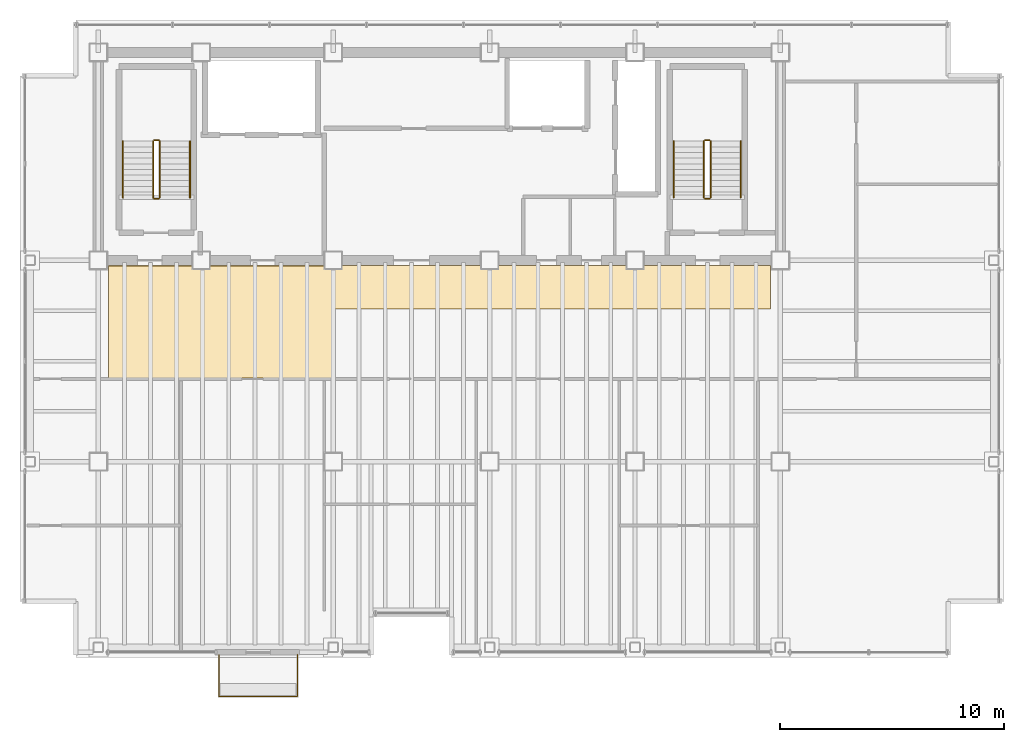
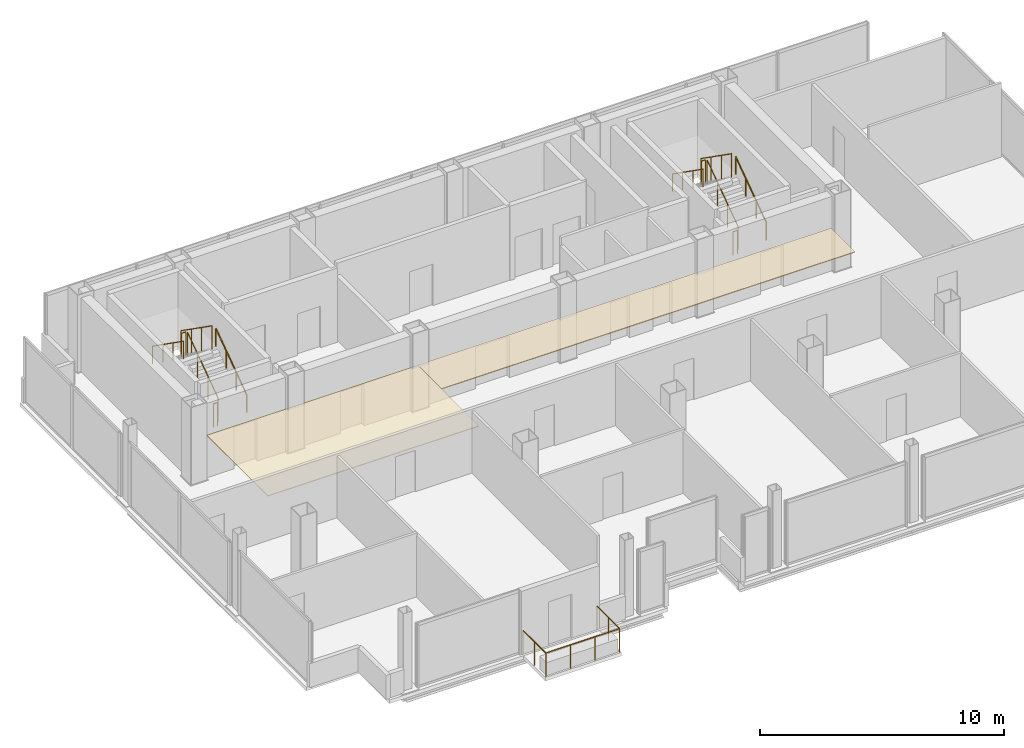
# One storey, part 15 of 15: 13 railings, 2 coverings.
"""IFC4 building model written with IfcOpenShell, lengths in metres."""

from ifc_helpers import new_model, si_unit, direction, frame, origin, origin_2d, place, context, subcontext, project, spatial, polyline, circle, outline, extrude, material, layer, layer_set, type_object, element, save


model = new_model("IFC4")

# Units and contexts
model_context = context("Model", 3, precision=1e-05, world=origin(), true_north=direction((0.0, 1.0)))
body_context = subcontext(model_context, "Body", "Model", "MODEL_VIEW")
ifc_project = project(units=[si_unit("LENGTHUNIT", "METRE"), si_unit("AREAUNIT", "SQUARE_METRE"), si_unit("VOLUMEUNIT", "CUBIC_METRE"), si_unit("PLANEANGLEUNIT", "RADIAN"), si_unit("MASSUNIT", "GRAM", prefix="KILO")], contexts=[model_context])

# Site, building, storey
site_placement = place(None, origin())
site = spatial("IfcSite", under=ifc_project, at=site_placement, CompositionType="ELEMENT")
building_placement = place(site_placement, origin())
building = spatial("IfcBuilding", under=site, at=building_placement, Name="Noeulbin Bourse Tower", CompositionType="ELEMENT")
storey_placement = place(building_placement, frame((0.0, 0.0, 222.800048828125)))
storey = spatial("IfcBuildingStorey", under=building, at=storey_placement, Name="L55", CompositionType="ELEMENT", Elevation=222.800048828125)

# Coverings
ifc_material_1 = material(Name="Perforated Mineral-Fibre Acoustic Tile")
ifc_layer_1 = layer(ifc_material_1, 0.0400390625)
ifc_layer_set_1 = layer_set([ifc_layer_1], Name="Perforated Mineral-Fibre Acoustic Tile")
covering_type_1 = type_object("IfcCoveringType", Name="COV-CEIL-ACT", PredefinedType="CEILING", material=ifc_layer_set_1)
covering_1_placement = place(storey_placement, frame((0.0, 0.0, 2.10986328125)))
element("IfcCovering", 1, at=covering_1_placement, inside=storey, type_object=covering_type_1, Name="Trading Suite Acoustic Ceiling L55", PredefinedType="CEILING", context=body_context, shape_type="SweptSolid", body=[
    extrude(outline(polyline([(13.949951171875, 23.75), (23.949951171875, 23.75), (23.949951171875, 28.75), (13.949951171875, 28.75), (13.949951171875, 23.75)])), origin(), (0.0, 0.0, 1.0), 0.0400390625),
])
ifc_material_2 = material(Name="Linear Anodised Aluminium Baffle Ceiling", Category="aluminium")
ifc_layer_2 = layer(ifc_material_2, 0.050048828125)
ifc_layer_set_2 = layer_set([ifc_layer_2], Name="Linear Anodised Aluminium Baffle Ceiling")
covering_type_2 = type_object("IfcCoveringType", Name="COV-CEIL-MTL", PredefinedType="CEILING", material=ifc_layer_set_2)
covering_2_placement = place(storey_placement, frame((0.0, 0.0, 2.10986328125)))
element("IfcCovering", 2, at=covering_2_placement, inside=storey, type_object=covering_type_2, Name="Corridor Suspended Ceiling L55", PredefinedType="CEILING", context=body_context, shape_type="SweptSolid", body=[
    extrude(outline(polyline([(13.949951171875, 26.820068359375), (43.550048828125, 26.820068359375), (43.550048828125, 28.780029296875), (13.949951171875, 28.780029296875), (13.949951171875, 26.820068359375)])), origin(), (0.0, 0.0, 1.0), 0.0400390625),
])

# Railings
ifc_material_3 = material(Name="Laminated SentryGlas and Stainless Steel 316", Category="steel")
ifc_layer_3 = layer(ifc_material_3, 0.06005859375)
ifc_layer_set_3 = layer_set([ifc_layer_3], Name="Laminated SentryGlas and Stainless Steel 316")
railing_type_1 = type_object("IfcRailingType", Name="RLG-BAL-1200", PredefinedType="BALUSTRADE", material=ifc_layer_set_3)
railing_1_placement = place(storey_placement, frame((18.89990234375, 11.3701171875, 0.0)))
element("IfcRailing", 3, at=railing_1_placement, inside=storey, type_object=railing_type_1, Name="Tree-Balcony Glazed Balustrade L55", PredefinedType="BALUSTRADE", context=body_context, shape_type="SweptSolid", body=[
    extrude(circle(Radius=0.02392578125, at=origin_2d()), frame((0.0, 0.0, 1.17578125), z_axis=(0.0, -1.0, 0.0), x_axis=(1.0, 0.0, 0.0)), (0.0, 0.0, 1.0), 1.8701171875),
    extrude(circle(Radius=0.02392578125, at=origin_2d()), frame((0.0, -1.8701171875, 1.17578125), z_axis=(1.0, 0.0, 0.0), x_axis=(0.0, 1.0, 0.0)), (0.0, 0.0, 1.0), 3.5),
    extrude(circle(Radius=0.02392578125, at=origin_2d()), frame((3.5, -1.8701171875, 1.17578125), z_axis=(0.0, 1.0, 0.0), x_axis=(-1.0, 0.0, 0.0)), (0.0, 0.0, 1.0), 1.8701171875),
    extrude(circle(Radius=0.02099609375, at=origin_2d()), origin(), (0.0, 0.0, 1.0), 1.15185546875),
    extrude(circle(Radius=0.02099609375, at=origin_2d()), frame((0.0, -0.93505859375, 0.0)), (0.0, 0.0, 1.0), 1.15185546875),
    extrude(circle(Radius=0.02099609375, at=origin_2d()), frame((0.0, -1.8701171875, 0.0)), (0.0, 0.0, 1.0), 1.15185546875),
    extrude(circle(Radius=0.02099609375, at=origin_2d()), frame((1.166748046875, -1.8701171875, 0.0)), (0.0, 0.0, 1.0), 1.15185546875),
    extrude(circle(Radius=0.02099609375, at=origin_2d()), frame((2.333251953125, -1.8701171875, 0.0)), (0.0, 0.0, 1.0), 1.15185546875),
    extrude(circle(Radius=0.02099609375, at=origin_2d()), frame((3.5, -1.8701171875, 0.0)), (0.0, 0.0, 1.0), 1.15185546875),
    extrude(circle(Radius=0.02099609375, at=origin_2d()), frame((3.5, -0.93505859375, 0.0)), (0.0, 0.0, 1.0), 1.15185546875),
    extrude(circle(Radius=0.02099609375, at=origin_2d()), frame((3.5, 0.0, 0.0)), (0.0, 0.0, 1.0), 1.15185546875),
])
ifc_material_4 = material(Name="Painted Tubular Steel S355", Category="steel")
ifc_layer_4 = layer(ifc_material_4, 0.048095703125)
ifc_layer_set_4 = layer_set([ifc_layer_4], Name="Painted Tubular Steel S355")
railing_type_2 = type_object("IfcRailingType", Name="RLG-STR-GRD", PredefinedType="GUARDRAIL", material=ifc_layer_set_4)
railing_2_placement = place(storey_placement, frame((16.25, 31.81005859375, 0.17724609375)))
element("IfcRailing", 4, at=railing_2_placement, inside=storey, type_object=railing_type_2, Name="L55 ST-1 stair guard 1", PredefinedType="GUARDRAIL", context=body_context, shape_type="SweptSolid", body=[
    extrude(circle(Radius=0.02392578125, at=origin_2d()), frame((0.0, 0.0, 1.17578125), z_axis=(0.0, 0.817904474719, 0.575354039036), x_axis=(-1.0, 0.0, 0.0)), (0.0, 0.0, 1.0), 3.0810546875),
    extrude(circle(Radius=0.02099609375, at=origin_2d()), origin(), (0.0, 0.0, 1.0), 1.15185546875),
    extrude(circle(Radius=0.02099609375, at=origin_2d()), frame((0.0, 0.840087890625, 0.5908203125)), (0.0, 0.0, 1.0), 1.15185546875),
    extrude(circle(Radius=0.02099609375, at=origin_2d()), frame((0.0, 1.679931640625, 1.181884765625)), (0.0, 0.0, 1.0), 1.15185546875),
    extrude(circle(Radius=0.02099609375, at=origin_2d()), frame((0.0, 2.52001953125, 1.772705078125)), (0.0, 0.0, 1.0), 1.15185546875),
])
railing_3_placement = place(storey_placement, frame((16.199951171875, 34.3798828125, 1.949951171875)))
element("IfcRailing", 5, at=railing_3_placement, inside=storey, type_object=railing_type_2, Name="L55 ST-1 stair guard 2", PredefinedType="GUARDRAIL", context=body_context, shape_type="SweptSolid", body=[
    extrude(circle(Radius=0.02392578125, at=origin_2d()), frame((0.0, 0.0, 1.17578125), z_axis=(-1.0, 0.0, 0.0), x_axis=(0.0, -1.0, 0.0)), (0.0, 0.0, 1.0), 0.199951171875),
    extrude(circle(Radius=0.02099609375, at=origin_2d()), origin(), (0.0, 0.0, 1.0), 1.15185546875),
    extrude(circle(Radius=0.02099609375, at=origin_2d()), frame((-0.199951171875, 0.0, 0.0)), (0.0, 0.0, 1.0), 1.15185546875),
])
railing_4_placement = place(storey_placement, frame((15.949951171875, 34.330078125, 2.127197265625)))
element("IfcRailing", 6, at=railing_4_placement, inside=storey, type_object=railing_type_2, Name="L55 ST-1 stair guard 3", PredefinedType="GUARDRAIL", context=body_context, shape_type="SweptSolid", body=[
    extrude(circle(Radius=0.02392578125, at=origin_2d()), frame((0.0, 0.0, 1.17578125), z_axis=(0.0, -0.817904474719, 0.575354039036), x_axis=(1.0, 0.0, 0.0)), (0.0, 0.0, 1.0), 3.0810546875),
    extrude(circle(Radius=0.02099609375, at=origin_2d()), origin(), (0.0, 0.0, 1.0), 1.15185546875),
    extrude(circle(Radius=0.02099609375, at=origin_2d()), frame((0.0, -0.840087890625, 0.5908203125)), (0.0, 0.0, 1.0), 1.15185546875),
    extrude(circle(Radius=0.02099609375, at=origin_2d()), frame((0.0, -1.679931640625, 1.181884765625)), (0.0, 0.0, 1.0), 1.15185546875),
    extrude(circle(Radius=0.02099609375, at=origin_2d()), frame((0.0, -2.52001953125, 1.772705078125)), (0.0, 0.0, 1.0), 1.15185546875),
])
railing_5_placement = place(storey_placement, frame((16.199951171875, 31.760009765625, 0.0)))
element("IfcRailing", 7, at=railing_5_placement, inside=storey, type_object=railing_type_2, Name="L55 ST-1 stair guard 4", PredefinedType="GUARDRAIL", context=body_context, shape_type="SweptSolid", body=[
    extrude(circle(Radius=0.02392578125, at=origin_2d()), frame((0.0, 0.0, 1.17578125), z_axis=(-1.0, 0.0, 0.0), x_axis=(0.0, -1.0, 0.0)), (0.0, 0.0, 1.0), 0.199951171875),
    extrude(circle(Radius=0.02099609375, at=origin_2d()), origin(), (0.0, 0.0, 1.0), 1.15185546875),
    extrude(circle(Radius=0.02099609375, at=origin_2d()), frame((-0.199951171875, 0.0, 0.0)), (0.0, 0.0, 1.0), 1.15185546875),
])
railing_6_placement = place(storey_placement, frame((40.8798828125, 31.81005859375, 0.17724609375)))
element("IfcRailing", 8, at=railing_6_placement, inside=storey, type_object=railing_type_2, Name="L55 ST-2 stair guard 1", PredefinedType="GUARDRAIL", context=body_context, shape_type="SweptSolid", body=[
    extrude(circle(Radius=0.02392578125, at=origin_2d()), frame((0.0, 0.0, 1.17578125), z_axis=(0.0, 0.817904474719, 0.575354039036), x_axis=(-1.0, 0.0, 0.0)), (0.0, 0.0, 1.0), 3.0810546875),
    extrude(circle(Radius=0.02099609375, at=origin_2d()), origin(), (0.0, 0.0, 1.0), 1.15185546875),
    extrude(circle(Radius=0.02099609375, at=origin_2d()), frame((0.0, 0.840087890625, 0.5908203125)), (0.0, 0.0, 1.0), 1.15185546875),
    extrude(circle(Radius=0.02099609375, at=origin_2d()), frame((0.0, 1.679931640625, 1.181884765625)), (0.0, 0.0, 1.0), 1.15185546875),
    extrude(circle(Radius=0.02099609375, at=origin_2d()), frame((0.0, 2.52001953125, 1.772705078125)), (0.0, 0.0, 1.0), 1.15185546875),
])
railing_7_placement = place(storey_placement, frame((40.830078125, 34.3798828125, 1.949951171875)))
element("IfcRailing", 9, at=railing_7_placement, inside=storey, type_object=railing_type_2, Name="L55 ST-2 stair guard 2", PredefinedType="GUARDRAIL", context=body_context, shape_type="SweptSolid", body=[
    extrude(circle(Radius=0.02392578125, at=origin_2d()), frame((0.0, 0.0, 1.17578125), z_axis=(-1.0, 0.0, 0.0), x_axis=(0.0, -1.0, 0.0)), (0.0, 0.0, 1.0), 0.2001953125),
    extrude(circle(Radius=0.02099609375, at=origin_2d()), origin(), (0.0, 0.0, 1.0), 1.15185546875),
    extrude(circle(Radius=0.02099609375, at=origin_2d()), frame((-0.2001953125, 0.0, 0.0)), (0.0, 0.0, 1.0), 1.15185546875),
])
railing_8_placement = place(storey_placement, frame((40.580078125, 34.330078125, 2.127197265625)))
element("IfcRailing", 10, at=railing_8_placement, inside=storey, type_object=railing_type_2, Name="L55 ST-2 stair guard 3", PredefinedType="GUARDRAIL", context=body_context, shape_type="SweptSolid", body=[
    extrude(circle(Radius=0.02392578125, at=origin_2d()), frame((0.0, 0.0, 1.17578125), z_axis=(0.0, -0.817904474719, 0.575354039036), x_axis=(1.0, 0.0, 0.0)), (0.0, 0.0, 1.0), 3.0810546875),
    extrude(circle(Radius=0.02099609375, at=origin_2d()), origin(), (0.0, 0.0, 1.0), 1.15185546875),
    extrude(circle(Radius=0.02099609375, at=origin_2d()), frame((0.0, -0.840087890625, 0.5908203125)), (0.0, 0.0, 1.0), 1.15185546875),
    extrude(circle(Radius=0.02099609375, at=origin_2d()), frame((0.0, -1.679931640625, 1.181884765625)), (0.0, 0.0, 1.0), 1.15185546875),
    extrude(circle(Radius=0.02099609375, at=origin_2d()), frame((0.0, -2.52001953125, 1.772705078125)), (0.0, 0.0, 1.0), 1.15185546875),
])
railing_9_placement = place(storey_placement, frame((40.830078125, 31.760009765625, 0.0)))
element("IfcRailing", 11, at=railing_9_placement, inside=storey, type_object=railing_type_2, Name="L55 ST-2 stair guard 4", PredefinedType="GUARDRAIL", context=body_context, shape_type="SweptSolid", body=[
    extrude(circle(Radius=0.02392578125, at=origin_2d()), frame((0.0, 0.0, 1.17578125), z_axis=(-1.0, 0.0, 0.0), x_axis=(0.0, -1.0, 0.0)), (0.0, 0.0, 1.0), 0.2001953125),
    extrude(circle(Radius=0.02099609375, at=origin_2d()), origin(), (0.0, 0.0, 1.0), 1.15185546875),
    extrude(circle(Radius=0.02099609375, at=origin_2d()), frame((-0.2001953125, 0.0, 0.0)), (0.0, 0.0, 1.0), 1.15185546875),
])
ifc_material_5 = material(Name="Brushed Stainless Steel 316", Category="steel")
ifc_layer_5 = layer(ifc_material_5, 0.048095703125)
ifc_layer_set_5 = layer_set([ifc_layer_5], Name="Brushed Stainless Steel 316")
railing_type_3 = type_object("IfcRailingType", Name="RLG-STR-HND", PredefinedType="HANDRAIL", material=ifc_layer_set_5)
railing_10_placement = place(storey_placement, frame((17.60009765625, 31.81005859375, 0.17724609375)))
element("IfcRailing", 12, at=railing_10_placement, inside=storey, type_object=railing_type_3, Name="L55 ST-1 stair handrail 1", PredefinedType="HANDRAIL", context=body_context, shape_type="SweptSolid", body=[
    extrude(circle(Radius=0.02392578125, at=origin_2d()), frame((0.0, 0.0, 0.8759765625), z_axis=(0.0, 0.817904474719, 0.575354039036), x_axis=(-1.0, 0.0, 0.0)), (0.0, 0.0, 1.0), 3.0810546875),
    extrude(circle(Radius=0.02099609375, at=origin_2d()), origin(), (0.0, 0.0, 1.0), 0.851806640625),
    extrude(circle(Radius=0.02099609375, at=origin_2d()), frame((0.0, 0.840087890625, 0.5908203125)), (0.0, 0.0, 1.0), 0.851806640625),
    extrude(circle(Radius=0.02099609375, at=origin_2d()), frame((0.0, 1.679931640625, 1.181884765625)), (0.0, 0.0, 1.0), 0.851806640625),
    extrude(circle(Radius=0.02099609375, at=origin_2d()), frame((0.0, 2.52001953125, 1.772705078125)), (0.0, 0.0, 1.0), 0.851806640625),
])
railing_11_placement = place(storey_placement, frame((14.60009765625, 34.330078125, 2.127197265625)))
element("IfcRailing", 13, at=railing_11_placement, inside=storey, type_object=railing_type_3, Name="L55 ST-1 stair handrail 2", PredefinedType="HANDRAIL", context=body_context, shape_type="SweptSolid", body=[
    extrude(circle(Radius=0.02392578125, at=origin_2d()), frame((0.0, 0.0, 0.8759765625), z_axis=(0.0, -0.817904474719, 0.575354039036), x_axis=(1.0, 0.0, 0.0)), (0.0, 0.0, 1.0), 3.0810546875),
    extrude(circle(Radius=0.02099609375, at=origin_2d()), origin(), (0.0, 0.0, 1.0), 0.851806640625),
    extrude(circle(Radius=0.02099609375, at=origin_2d()), frame((0.0, -0.840087890625, 0.5908203125)), (0.0, 0.0, 1.0), 0.851806640625),
    extrude(circle(Radius=0.02099609375, at=origin_2d()), frame((0.0, -1.679931640625, 1.181884765625)), (0.0, 0.0, 1.0), 0.851806640625),
    extrude(circle(Radius=0.02099609375, at=origin_2d()), frame((0.0, -2.52001953125, 1.772705078125)), (0.0, 0.0, 1.0), 0.851806640625),
])
railing_12_placement = place(storey_placement, frame((42.22998046875, 31.81005859375, 0.17724609375)))
element("IfcRailing", 14, at=railing_12_placement, inside=storey, type_object=railing_type_3, Name="L55 ST-2 stair handrail 1", PredefinedType="HANDRAIL", context=body_context, shape_type="SweptSolid", body=[
    extrude(circle(Radius=0.02392578125, at=origin_2d()), frame((0.0, 0.0, 0.8759765625), z_axis=(0.0, 0.817904474719, 0.575354039036), x_axis=(-1.0, 0.0, 0.0)), (0.0, 0.0, 1.0), 3.0810546875),
    extrude(circle(Radius=0.02099609375, at=origin_2d()), origin(), (0.0, 0.0, 1.0), 0.851806640625),
    extrude(circle(Radius=0.02099609375, at=origin_2d()), frame((0.0, 0.840087890625, 0.5908203125)), (0.0, 0.0, 1.0), 0.851806640625),
    extrude(circle(Radius=0.02099609375, at=origin_2d()), frame((0.0, 1.679931640625, 1.181884765625)), (0.0, 0.0, 1.0), 0.851806640625),
    extrude(circle(Radius=0.02099609375, at=origin_2d()), frame((0.0, 2.52001953125, 1.772705078125)), (0.0, 0.0, 1.0), 0.851806640625),
])
railing_13_placement = place(storey_placement, frame((39.22998046875, 34.330078125, 2.127197265625)))
element("IfcRailing", 15, at=railing_13_placement, inside=storey, type_object=railing_type_3, Name="L55 ST-2 stair handrail 2", PredefinedType="HANDRAIL", context=body_context, shape_type="SweptSolid", body=[
    extrude(circle(Radius=0.02392578125, at=origin_2d()), frame((0.0, 0.0, 0.8759765625), z_axis=(0.0, -0.817904474719, 0.575354039036), x_axis=(1.0, 0.0, 0.0)), (0.0, 0.0, 1.0), 3.0810546875),
    extrude(circle(Radius=0.02099609375, at=origin_2d()), origin(), (0.0, 0.0, 1.0), 0.851806640625),
    extrude(circle(Radius=0.02099609375, at=origin_2d()), frame((0.0, -0.840087890625, 0.5908203125)), (0.0, 0.0, 1.0), 0.851806640625),
    extrude(circle(Radius=0.02099609375, at=origin_2d()), frame((0.0, -1.679931640625, 1.181884765625)), (0.0, 0.0, 1.0), 0.851806640625),
    extrude(circle(Radius=0.02099609375, at=origin_2d()), frame((0.0, -2.52001953125, 1.772705078125)), (0.0, 0.0, 1.0), 0.851806640625),
])

save(model, "model.ifc")
